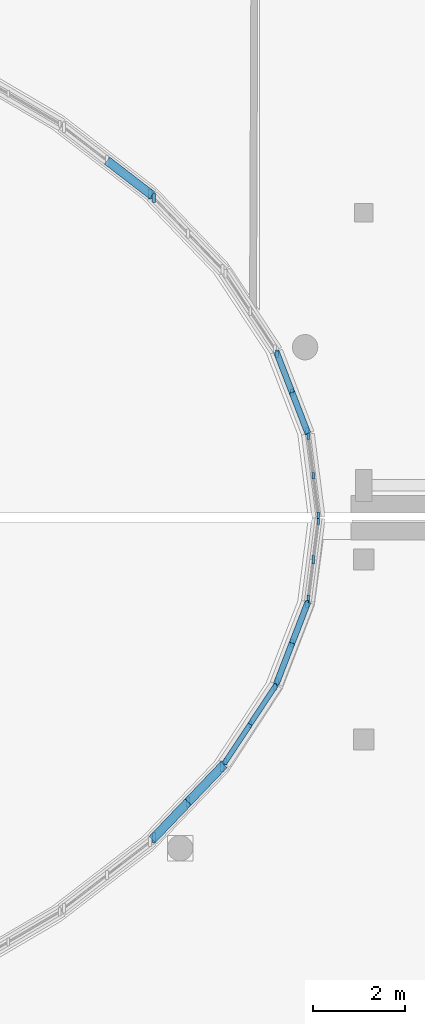
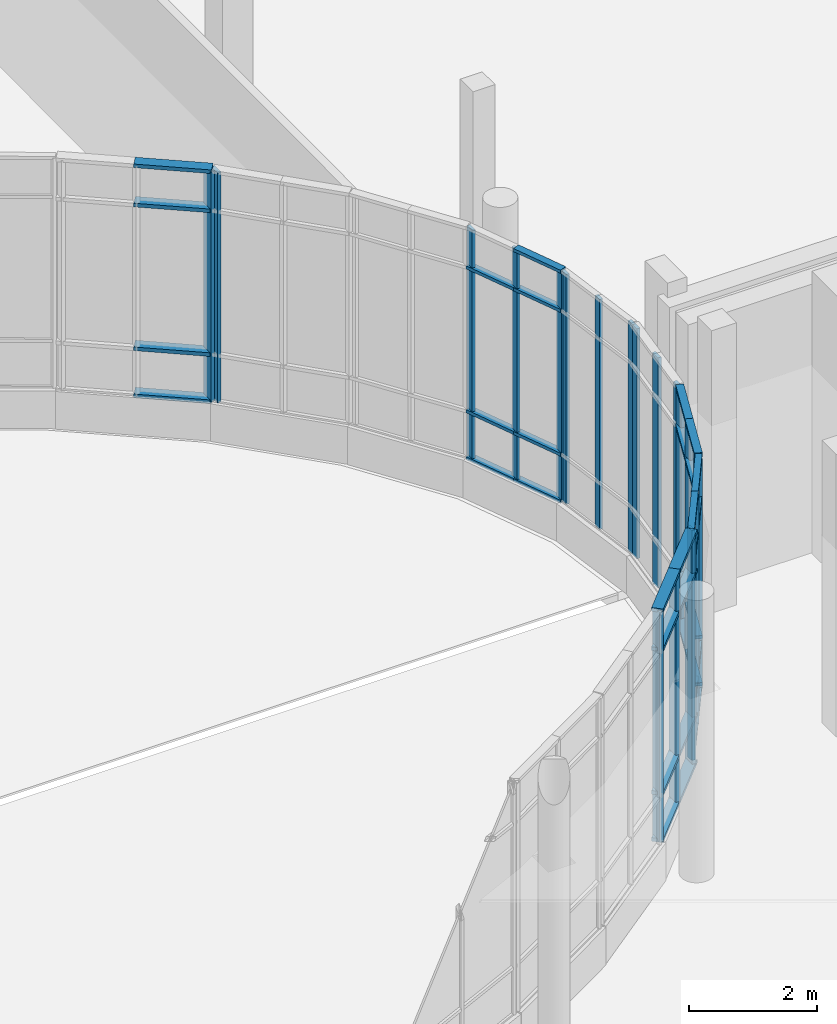
# One storey, part 24 of 84: 55 members, 8 elements without a shape of their own.
"""IFC4 building model written with IfcOpenShell, lengths in metres."""

from ifc_helpers import new_model, si_unit, direction, frame, origin, origin_2d, place, context, subcontext, project, spatial, rectangle, extrude, material, material_profile, profile_set, type_object, element, aggregate, save


model = new_model("IFC4")

# Units and contexts
model_context = context("Model", 3, precision=1e-05, world=origin(), true_north=direction((0.0, 1.0)))
body_context = subcontext(model_context, "Body", "Model", "MODEL_VIEW")
ifc_project = project(units=[si_unit("LENGTHUNIT", "METRE"), si_unit("AREAUNIT", "SQUARE_METRE"), si_unit("VOLUMEUNIT", "CUBIC_METRE"), si_unit("PLANEANGLEUNIT", "RADIAN"), si_unit("MASSUNIT", "GRAM", prefix="KILO")], contexts=[model_context])

# Site, building, storey
site_placement = place(None, origin())
site = spatial("IfcSite", under=ifc_project, at=site_placement, CompositionType="ELEMENT")
building_placement = place(site_placement, origin())
building = spatial("IfcBuilding", under=site, at=building_placement, Name="Mzevani Central Library", CompositionType="ELEMENT")
storey_placement = place(building_placement, origin())
storey = spatial("IfcBuildingStorey", under=building, at=storey_placement, Name="L00", CompositionType="ELEMENT", Elevation=0.0)

# Curtain wall, members
ifc_material_1 = material(Name="Thermally broken aluminium and Low-E triple glazing", Category="aluminium")
curtain_wall_type_1 = type_object("IfcCurtainWallType", Name="Reading Hall Northlight Curtain Wall", PredefinedType="NOTDEFINED", material=ifc_material_1)
curtain_wall_1_placement = place(storey_placement, origin())
curtain_wall_1 = element("IfcCurtainWall", 1, at=curtain_wall_1_placement, inside=storey, type_object=curtain_wall_type_1, Name="L00 Elliptical Court Curtain Wall 1", PredefinedType="NOTDEFINED")
ifc_material_2 = material(Name="Thermally broken aluminium AW-6060", Category="aluminium")
ifc_material_profile_1 = material_profile(ifc_material_2, rectangle(XDim=0.06005859375, YDim=0.139892578125, at=origin_2d()), Name="ALU M60x140")
ifc_profile_set_1 = profile_set([ifc_material_profile_1], Name="Thermally broken aluminium AW-6060")
member_type_1 = type_object("IfcMemberType", Name="CW Mullion 60x140", PredefinedType="MULLION", material=ifc_profile_set_1)
member_1_placement = place(storey_placement, frame((111.013671875, 76.056884765625, 0.719970703125), z_axis=(0.0, 0.0, 1.0), x_axis=(1.0, 0.0, 0.0)))
member_1 = element("IfcMember", 2, at=member_1_placement, type_object=member_type_1, Name="L00 Elliptical Court Curtain Wall 1 Mullion 1", PredefinedType="MULLION", context=body_context, shape_type="SweptSolid", body=[
    extrude(rectangle(XDim=0.06005859375, YDim=0.139892578125, at=origin_2d()), origin(), (0.0, 0.0, 1.0), 4.400146484375),
])
member_2_placement = place(storey_placement, frame((110.9052734375, 76.908935546875, 0.719970703125), z_axis=(0.0, 0.0, 1.0), x_axis=(1.0, 0.0, 0.0)))
member_2 = element("IfcMember", 3, at=member_2_placement, type_object=member_type_1, Name="L00 Elliptical Court Curtain Wall 1 Mullion 2", PredefinedType="MULLION", context=body_context, shape_type="SweptSolid", body=[
    extrude(rectangle(XDim=0.06005859375, YDim=0.139892578125, at=origin_2d()), origin(), (0.0, 0.0, 1.0), 4.400146484375),
])
member_3_placement = place(storey_placement, frame((110.796875, 77.7607421875, 0.719970703125), z_axis=(0.0, 0.0, 1.0), x_axis=(1.0, 0.0, 0.0)))
member_3 = element("IfcMember", 4, at=member_3_placement, type_object=member_type_1, Name="L00 Elliptical Court Curtain Wall 1 Mullion 3", PredefinedType="MULLION", context=body_context, shape_type="SweptSolid", body=[
    extrude(rectangle(XDim=0.06005859375, YDim=0.139892578125, at=origin_2d()), origin(), (0.0, 0.0, 1.0), 4.400146484375),
])
aggregate(curtain_wall_1, [member_1, member_2, member_3])

curtain_wall_2_placement = place(storey_placement, origin())
curtain_wall_2 = element("IfcCurtainWall", 5, at=curtain_wall_2_placement, inside=storey, type_object=curtain_wall_type_1, Name="L00 Elliptical Court Curtain Wall 46", PredefinedType="NOTDEFINED")
member_4_placement = place(storey_placement, frame((109.004150390625, 70.718017578125, 0.719970703125), z_axis=(0.0, 0.0, 1.0), x_axis=(1.0, 0.0, 0.0)))
member_4 = element("IfcMember", 6, at=member_4_placement, type_object=member_type_1, Name="L00 Elliptical Court Curtain Wall 46 Mullion 1", PredefinedType="MULLION", context=body_context, shape_type="SweptSolid", body=[
    extrude(rectangle(XDim=0.06005859375, YDim=0.139892578125, at=origin_2d()), origin(), (0.0, 0.0, 1.0), 4.400146484375),
])
member_5_placement = place(storey_placement, frame((109.5400390625, 71.53173828125, 0.719970703125), z_axis=(0.0, 0.0, 1.0), x_axis=(1.0, 0.0, 0.0)))
member_5 = element("IfcMember", 7, at=member_5_placement, type_object=member_type_1, Name="L00 Elliptical Court Curtain Wall 46 Mullion 2", PredefinedType="MULLION", context=body_context, shape_type="SweptSolid", body=[
    extrude(rectangle(XDim=0.06005859375, YDim=0.139892578125, at=origin_2d()), origin(), (0.0, 0.0, 1.0), 4.400146484375),
])
member_6_placement = place(storey_placement, frame((110.075927734375, 72.345458984375, 0.719970703125), z_axis=(0.0, 0.0, 1.0), x_axis=(1.0, 0.0, 0.0)))
member_6 = element("IfcMember", 8, at=member_6_placement, type_object=member_type_1, Name="L00 Elliptical Court Curtain Wall 46 Mullion 3", PredefinedType="MULLION", context=body_context, shape_type="SweptSolid", body=[
    extrude(rectangle(XDim=0.06005859375, YDim=0.139892578125, at=origin_2d()), origin(), (0.0, 0.0, 1.0), 4.400146484375),
])

curtain_wall_type_2 = type_object("IfcCurtainWallType", Name="Elliptical Court Unitised Curtain Wall", PredefinedType="NOTDEFINED", material=ifc_material_1)
curtain_wall_3_placement = place(storey_placement, origin())
curtain_wall_3 = element("IfcCurtainWall", 9, at=curtain_wall_3_placement, inside=storey, type_object=curtain_wall_type_2, Name="L00 Elliptical Court Curtain Wall 2", PredefinedType="NOTDEFINED")
ifc_material_profile_2 = material_profile(ifc_material_2, rectangle(XDim=0.06005859375, YDim=0.159912109375, at=origin_2d()), Name="ALU M60x160")
ifc_profile_set_2 = profile_set([ifc_material_profile_2], Name="Thermally broken aluminium AW-6060")
member_type_2 = type_object("IfcMemberType", Name="CW Mullion 60x160", PredefinedType="MULLION", material=ifc_profile_set_2)
member_7_placement = place(storey_placement, frame((110.771484375, 77.8720703125, 0.719970703125), z_axis=(0.0, 0.0, 1.0), x_axis=(1.0, 0.0, 0.0)))
member_7 = element("IfcMember", 10, at=member_7_placement, type_object=member_type_2, Name="L00 Elliptical Court Curtain Wall 2 Mullion 1", PredefinedType="MULLION", context=body_context, shape_type="SweptSolid", body=[
    extrude(rectangle(XDim=0.06005859375, YDim=0.159912109375, at=origin_2d()), origin(), (0.0, 0.0, 1.0), 4.400146484375),
])
member_8_placement = place(storey_placement, frame((110.44775390625, 78.711181640625, 0.719970703125), z_axis=(0.0, 0.0, 1.0), x_axis=(1.0, 0.0, 0.0)))
member_8 = element("IfcMember", 11, at=member_8_placement, type_object=member_type_2, Name="L00 Elliptical Court Curtain Wall 2 Mullion 2", PredefinedType="MULLION", context=body_context, shape_type="SweptSolid", body=[
    extrude(rectangle(XDim=0.06005859375, YDim=0.159912109375, at=origin_2d()), origin(), (0.0, 0.0, 1.0), 4.400146484375),
])
member_9_placement = place(storey_placement, frame((110.123779296875, 79.550537109375, 0.719970703125), z_axis=(0.0, 0.0, 1.0), x_axis=(1.0, 0.0, 0.0)))
member_9 = element("IfcMember", 12, at=member_9_placement, type_object=member_type_2, Name="L00 Elliptical Court Curtain Wall 2 Mullion 3", PredefinedType="MULLION", context=body_context, shape_type="SweptSolid", body=[
    extrude(rectangle(XDim=0.06005859375, YDim=0.159912109375, at=origin_2d()), origin(), (0.0, 0.0, 1.0), 4.400146484375),
])

curtain_wall_4_placement = place(storey_placement, origin())
curtain_wall_4 = element("IfcCurtainWall", 13, at=curtain_wall_4_placement, inside=storey, type_object=curtain_wall_type_2, Name="L00 Elliptical Court Curtain Wall 47", PredefinedType="NOTDEFINED")
member_10_placement = place(storey_placement, frame((110.123779296875, 72.449462890625, 0.719970703125), z_axis=(0.0, 0.0, 1.0), x_axis=(1.0, 0.0, 0.0)))
member_10 = element("IfcMember", 14, at=member_10_placement, type_object=member_type_2, Name="L00 Elliptical Court Curtain Wall 47 Mullion 1", PredefinedType="MULLION", context=body_context, shape_type="SweptSolid", body=[
    extrude(rectangle(XDim=0.06005859375, YDim=0.159912109375, at=origin_2d()), origin(), (0.0, 0.0, 1.0), 4.400146484375),
])
member_11_placement = place(storey_placement, frame((110.44775390625, 73.288818359375, 0.719970703125), z_axis=(0.0, 0.0, 1.0), x_axis=(1.0, 0.0, 0.0)))
member_11 = element("IfcMember", 15, at=member_11_placement, type_object=member_type_2, Name="L00 Elliptical Court Curtain Wall 47 Mullion 2", PredefinedType="MULLION", context=body_context, shape_type="SweptSolid", body=[
    extrude(rectangle(XDim=0.06005859375, YDim=0.159912109375, at=origin_2d()), origin(), (0.0, 0.0, 1.0), 4.400146484375),
])
member_12_placement = place(storey_placement, frame((110.771484375, 74.1279296875, 0.719970703125), z_axis=(0.0, 0.0, 1.0), x_axis=(1.0, 0.0, 0.0)))
member_12 = element("IfcMember", 16, at=member_12_placement, type_object=member_type_2, Name="L00 Elliptical Court Curtain Wall 47 Mullion 3", PredefinedType="MULLION", context=body_context, shape_type="SweptSolid", body=[
    extrude(rectangle(XDim=0.06005859375, YDim=0.159912109375, at=origin_2d()), origin(), (0.0, 0.0, 1.0), 4.400146484375),
])

curtain_wall_5_placement = place(storey_placement, origin())
curtain_wall_5 = element("IfcCurtainWall", 17, at=curtain_wall_5_placement, inside=storey, type_object=curtain_wall_type_2, Name="L00 Elliptical Court Curtain Wall 48", PredefinedType="NOTDEFINED")
ifc_material_profile_3 = material_profile(ifc_material_2, rectangle(XDim=0.06005859375, YDim=0.179931640625, at=origin_2d()), Name="ALU M60x180")
ifc_profile_set_3 = profile_set([ifc_material_profile_3], Name="Thermally broken aluminium AW-6060")
member_type_3 = type_object("IfcMemberType", Name="CW Mullion 60x180", PredefinedType="MULLION", material=ifc_profile_set_3)
member_13_placement = place(storey_placement, frame((110.796875, 74.2392578125, 0.719970703125), z_axis=(0.0, 0.0, 1.0), x_axis=(1.0, 0.0, 0.0)))
member_13 = element("IfcMember", 18, at=member_13_placement, type_object=member_type_3, Name="L00 Elliptical Court Curtain Wall 48 Mullion 1", PredefinedType="MULLION", context=body_context, shape_type="SweptSolid", body=[
    extrude(rectangle(XDim=0.06005859375, YDim=0.179931640625, at=origin_2d()), origin(), (0.0, 0.0, 1.0), 4.400146484375),
])
member_14_placement = place(storey_placement, frame((110.9052734375, 75.091064453125, 0.719970703125), z_axis=(0.0, 0.0, 1.0), x_axis=(1.0, 0.0, 0.0)))
member_14 = element("IfcMember", 19, at=member_14_placement, type_object=member_type_3, Name="L00 Elliptical Court Curtain Wall 48 Mullion 2", PredefinedType="MULLION", context=body_context, shape_type="SweptSolid", body=[
    extrude(rectangle(XDim=0.06005859375, YDim=0.179931640625, at=origin_2d()), origin(), (0.0, 0.0, 1.0), 4.400146484375),
])
member_15_placement = place(storey_placement, frame((111.013671875, 75.943115234375, 0.719970703125), z_axis=(0.0, 0.0, 1.0), x_axis=(1.0, 0.0, 0.0)))
member_15 = element("IfcMember", 20, at=member_15_placement, type_object=member_type_3, Name="L00 Elliptical Court Curtain Wall 48 Mullion 3", PredefinedType="MULLION", context=body_context, shape_type="SweptSolid", body=[
    extrude(rectangle(XDim=0.06005859375, YDim=0.179931640625, at=origin_2d()), origin(), (0.0, 0.0, 1.0), 4.400146484375),
])
aggregate(curtain_wall_5, [member_13, member_14, member_15])

# Curtain wall, member
curtain_wall_6_placement = place(storey_placement, origin())
curtain_wall_6 = element("IfcCurtainWall", 21, at=curtain_wall_6_placement, inside=storey, type_object=curtain_wall_type_1, Name="L00 Elliptical Court Curtain Wall 4", PredefinedType="NOTDEFINED")
ifc_material_profile_4 = material_profile(ifc_material_2, rectangle(XDim=0.06494140625, YDim=0.199951171875, at=origin_2d()), Name="ALU M65x200")
ifc_profile_set_4 = profile_set([ifc_material_profile_4], Name="Thermally broken aluminium AW-6060")
member_type_4 = type_object("IfcMemberType", Name="CW Mullion 65x200", PredefinedType="MULLION", material=ifc_profile_set_4)
member_16_placement = place(storey_placement, frame((107.457275390625, 82.924072265625, 0.719970703125), z_axis=(0.0, 0.0, 1.0), x_axis=(1.0, 0.0, 0.0)))
member_16 = element("IfcMember", 22, at=member_16_placement, type_object=member_type_4, Name="L00 Elliptical Court Curtain Wall 4 Mullion 3", PredefinedType="MULLION", context=body_context, shape_type="SweptSolid", body=[
    extrude(rectangle(XDim=0.06494140625, YDim=0.199951171875, at=origin_2d()), origin(), (0.0, 0.0, 1.0), 4.400146484375),
])
aggregate(curtain_wall_6, [member_16])

curtain_wall_7_placement = place(storey_placement, origin())
curtain_wall_7 = element("IfcCurtainWall", 23, at=curtain_wall_7_placement, inside=storey, type_object=curtain_wall_type_2, Name="L00 Elliptical Court Curtain Wall 5", PredefinedType="NOTDEFINED")
ifc_material_profile_5 = material_profile(ifc_material_2, rectangle(XDim=0.070068359375, YDim=0.219970703125, at=origin_2d()), Name="ALU M70x220")
ifc_profile_set_5 = profile_set([ifc_material_profile_5], Name="Thermally broken aluminium AW-6060")
member_type_5 = type_object("IfcMemberType", Name="CW Mullion 70x220", PredefinedType="MULLION", material=ifc_profile_set_5)
member_17_placement = place(storey_placement, frame((107.3779296875, 83.00830078125, 0.719970703125), z_axis=(0.0, 0.0, 1.0), x_axis=(1.0, 0.0, 0.0)))
member_17 = element("IfcMember", 24, at=member_17_placement, type_object=member_type_5, Name="L00 Elliptical Court Curtain Wall 5 Mullion 1", PredefinedType="MULLION", context=body_context, shape_type="SweptSolid", body=[
    extrude(rectangle(XDim=0.070068359375, YDim=0.219970703125, at=origin_2d()), origin(), (0.0, 0.0, 1.0), 4.400146484375),
])

# Curtain wall, members
curtain_wall_8_placement = place(storey_placement, origin())
curtain_wall_8 = element("IfcCurtainWall", 25, at=curtain_wall_8_placement, inside=storey, type_object=curtain_wall_type_2, Name="L00 Elliptical Court Curtain Wall 45", PredefinedType="NOTDEFINED")
member_18_placement = place(storey_placement, frame((107.457275390625, 69.075927734375, 0.719970703125), z_axis=(0.0, 0.0, 1.0), x_axis=(1.0, 0.0, 0.0)))
member_18 = element("IfcMember", 26, at=member_18_placement, type_object=member_type_5, Name="L00 Elliptical Court Curtain Wall 45 Mullion 1", PredefinedType="MULLION", context=body_context, shape_type="SweptSolid", body=[
    extrude(rectangle(XDim=0.070068359375, YDim=0.219970703125, at=origin_2d()), origin(), (0.0, 0.0, 1.0), 4.400146484375),
])
member_19_placement = place(storey_placement, frame((108.197998046875, 69.849853515625, 0.719970703125), z_axis=(0.0, 0.0, 1.0), x_axis=(1.0, 0.0, 0.0)))
member_19 = element("IfcMember", 27, at=member_19_placement, type_object=member_type_5, Name="L00 Elliptical Court Curtain Wall 45 Mullion 2", PredefinedType="MULLION", context=body_context, shape_type="SweptSolid", body=[
    extrude(rectangle(XDim=0.070068359375, YDim=0.219970703125, at=origin_2d()), origin(), (0.0, 0.0, 1.0), 4.400146484375),
])
member_20_placement = place(storey_placement, frame((108.938720703125, 70.6240234375, 0.719970703125), z_axis=(0.0, 0.0, 1.0), x_axis=(1.0, 0.0, 0.0)))
member_20 = element("IfcMember", 28, at=member_20_placement, type_object=member_type_5, Name="L00 Elliptical Court Curtain Wall 45 Mullion 3", PredefinedType="MULLION", context=body_context, shape_type="SweptSolid", body=[
    extrude(rectangle(XDim=0.070068359375, YDim=0.219970703125, at=origin_2d()), origin(), (0.0, 0.0, 1.0), 4.400146484375),
])

# Member
ifc_material_profile_6 = material_profile(ifc_material_2, rectangle(XDim=0.110107421875, YDim=0.06005859375, at=origin_2d()), Name="ALU T60x110")
ifc_profile_set_6 = profile_set([ifc_material_profile_6], Name="Thermally broken aluminium AW-6060")
member_type_6 = type_object("IfcMemberType", Name="CW Transom 60x110", PredefinedType="USERDEFINED", material=ifc_profile_set_6)
member_21_placement = place(storey_placement, frame((108.976806640625, 70.67626953125, 0.719970703125), z_axis=(0.54990540845, 0.835226940273, 0.0), x_axis=(-0.835226940273, 0.54990540845, 0.0)))
member_21 = element("IfcMember", 29, at=member_21_placement, type_object=member_type_6, Name="L00 Elliptical Court Curtain Wall 46 Transom 1", ObjectType="TRANSOM", PredefinedType="USERDEFINED", context=body_context, shape_type="SweptSolid", body=[
    extrude(rectangle(XDim=0.110107421875, YDim=0.06005859375, at=origin_2d()), origin(), (0.0, 0.0, 1.0), 1.024169921875),
])

member_22_placement = place(storey_placement, frame((108.976806640625, 70.67626953125, 1.6201171875), z_axis=(0.54990540845, 0.835226940273, 0.0), x_axis=(-0.835226940273, 0.54990540845, 0.0)))
member_22 = element("IfcMember", 30, at=member_22_placement, type_object=member_type_6, Name="L00 Elliptical Court Curtain Wall 46 Transom 2", ObjectType="TRANSOM", PredefinedType="USERDEFINED", context=body_context, shape_type="SweptSolid", body=[
    extrude(rectangle(XDim=0.110107421875, YDim=0.06005859375, at=origin_2d()), origin(), (0.0, 0.0, 1.0), 1.024169921875),
])

member_23_placement = place(storey_placement, frame((108.976806640625, 70.67626953125, 4.3701171875), z_axis=(0.54990540845, 0.835226940273, 0.0), x_axis=(-0.835226940273, 0.54990540845, 0.0)))
member_23 = element("IfcMember", 31, at=member_23_placement, type_object=member_type_6, Name="L00 Elliptical Court Curtain Wall 46 Transom 3", ObjectType="TRANSOM", PredefinedType="USERDEFINED", context=body_context, shape_type="SweptSolid", body=[
    extrude(rectangle(XDim=0.110107421875, YDim=0.06005859375, at=origin_2d()), origin(), (0.0, 0.0, 1.0), 1.024169921875),
])

member_24_placement = place(storey_placement, frame((108.976806640625, 70.67626953125, 5.1201171875), z_axis=(0.54990540845, 0.835226940273, 0.0), x_axis=(-0.835226940273, 0.54990540845, 0.0)))
member_24 = element("IfcMember", 32, at=member_24_placement, type_object=member_type_6, Name="L00 Elliptical Court Curtain Wall 46 Transom 4", ObjectType="TRANSOM", PredefinedType="USERDEFINED", context=body_context, shape_type="SweptSolid", body=[
    extrude(rectangle(XDim=0.110107421875, YDim=0.06005859375, at=origin_2d()), origin(), (0.0, 0.0, 1.0), 1.024169921875),
])

member_25_placement = place(storey_placement, frame((109.5400390625, 71.53173828125, 0.719970703125), z_axis=(0.550071659346, 0.835117458556, 0.0), x_axis=(-0.835117458556, 0.550071659346, 0.0)))
member_25 = element("IfcMember", 33, at=member_25_placement, type_object=member_type_6, Name="L00 Elliptical Court Curtain Wall 46 Transom 5", ObjectType="TRANSOM", PredefinedType="USERDEFINED", context=body_context, shape_type="SweptSolid", body=[
    extrude(rectangle(XDim=0.110107421875, YDim=0.06005859375, at=origin_2d()), origin(), (0.0, 0.0, 1.0), 1.0244140625),
])

member_26_placement = place(storey_placement, frame((109.5400390625, 71.53173828125, 1.6201171875), z_axis=(0.550071659346, 0.835117458556, 0.0), x_axis=(-0.835117458556, 0.550071659346, 0.0)))
member_26 = element("IfcMember", 34, at=member_26_placement, type_object=member_type_6, Name="L00 Elliptical Court Curtain Wall 46 Transom 6", ObjectType="TRANSOM", PredefinedType="USERDEFINED", context=body_context, shape_type="SweptSolid", body=[
    extrude(rectangle(XDim=0.110107421875, YDim=0.06005859375, at=origin_2d()), origin(), (0.0, 0.0, 1.0), 1.0244140625),
])

member_27_placement = place(storey_placement, frame((109.5400390625, 71.53173828125, 4.3701171875), z_axis=(0.550071659346, 0.835117458556, 0.0), x_axis=(-0.835117458556, 0.550071659346, 0.0)))
member_27 = element("IfcMember", 35, at=member_27_placement, type_object=member_type_6, Name="L00 Elliptical Court Curtain Wall 46 Transom 7", ObjectType="TRANSOM", PredefinedType="USERDEFINED", context=body_context, shape_type="SweptSolid", body=[
    extrude(rectangle(XDim=0.110107421875, YDim=0.06005859375, at=origin_2d()), origin(), (0.0, 0.0, 1.0), 1.0244140625),
])

member_28_placement = place(storey_placement, frame((109.5400390625, 71.53173828125, 5.1201171875), z_axis=(0.550071659346, 0.835117458556, 0.0), x_axis=(-0.835117458556, 0.550071659346, 0.0)))
member_28 = element("IfcMember", 36, at=member_28_placement, type_object=member_type_6, Name="L00 Elliptical Court Curtain Wall 46 Transom 8", ObjectType="TRANSOM", PredefinedType="USERDEFINED", context=body_context, shape_type="SweptSolid", body=[
    extrude(rectangle(XDim=0.110107421875, YDim=0.06005859375, at=origin_2d()), origin(), (0.0, 0.0, 1.0), 1.0244140625),
])

aggregate(curtain_wall_2, [member_4, member_5, member_6, member_21, member_22, member_23, member_24, member_25, member_26, member_27, member_28])

ifc_material_profile_7 = material_profile(ifc_material_2, rectangle(XDim=0.1298828125, YDim=0.06005859375, at=origin_2d()), Name="ALU T60x130")
ifc_profile_set_7 = profile_set([ifc_material_profile_7], Name="Thermally broken aluminium AW-6060")
member_type_7 = type_object("IfcMemberType", Name="CW Transom 60x130", PredefinedType="USERDEFINED", material=ifc_profile_set_7)
member_29_placement = place(storey_placement, frame((110.78955078125, 77.8251953125, 0.719970703125), z_axis=(-0.359926417848, 0.93298069312, 0.0), x_axis=(-0.93298069312, -0.359926417848, 0.0)))
member_29 = element("IfcMember", 37, at=member_29_placement, type_object=member_type_7, Name="L00 Elliptical Court Curtain Wall 2 Transom 1", ObjectType="TRANSOM", PredefinedType="USERDEFINED", context=body_context, shape_type="SweptSolid", body=[
    extrude(rectangle(XDim=0.1298828125, YDim=0.06005859375, at=origin_2d()), origin(), (0.0, 0.0, 1.0), 0.94970703125),
])

member_30_placement = place(storey_placement, frame((110.78955078125, 77.8251953125, 1.6201171875), z_axis=(-0.359926417848, 0.93298069312, 0.0), x_axis=(-0.93298069312, -0.359926417848, 0.0)))
member_30 = element("IfcMember", 38, at=member_30_placement, type_object=member_type_7, Name="L00 Elliptical Court Curtain Wall 2 Transom 2", ObjectType="TRANSOM", PredefinedType="USERDEFINED", context=body_context, shape_type="SweptSolid", body=[
    extrude(rectangle(XDim=0.1298828125, YDim=0.06005859375, at=origin_2d()), origin(), (0.0, 0.0, 1.0), 0.94970703125),
])

member_31_placement = place(storey_placement, frame((110.78955078125, 77.8251953125, 4.3701171875), z_axis=(-0.359926417848, 0.93298069312, 0.0), x_axis=(-0.93298069312, -0.359926417848, 0.0)))
member_31 = element("IfcMember", 39, at=member_31_placement, type_object=member_type_7, Name="L00 Elliptical Court Curtain Wall 2 Transom 3", ObjectType="TRANSOM", PredefinedType="USERDEFINED", context=body_context, shape_type="SweptSolid", body=[
    extrude(rectangle(XDim=0.1298828125, YDim=0.06005859375, at=origin_2d()), origin(), (0.0, 0.0, 1.0), 0.94970703125),
])

member_32_placement = place(storey_placement, frame((110.78955078125, 77.8251953125, 5.1201171875), z_axis=(-0.359926417848, 0.93298069312, 0.0), x_axis=(-0.93298069312, -0.359926417848, 0.0)))
member_32 = element("IfcMember", 40, at=member_32_placement, type_object=member_type_7, Name="L00 Elliptical Court Curtain Wall 2 Transom 4", ObjectType="TRANSOM", PredefinedType="USERDEFINED", context=body_context, shape_type="SweptSolid", body=[
    extrude(rectangle(XDim=0.1298828125, YDim=0.06005859375, at=origin_2d()), origin(), (0.0, 0.0, 1.0), 0.94970703125),
])

member_33_placement = place(storey_placement, frame((110.44775390625, 78.711181640625, 0.719970703125), z_axis=(-0.360063821231, 0.932927673853, 0.0), x_axis=(-0.932927673853, -0.360063821231, 0.0)))
member_33 = element("IfcMember", 41, at=member_33_placement, type_object=member_type_7, Name="L00 Elliptical Court Curtain Wall 2 Transom 5", ObjectType="TRANSOM", PredefinedType="USERDEFINED", context=body_context, shape_type="SweptSolid", body=[
    extrude(rectangle(XDim=0.1298828125, YDim=0.06005859375, at=origin_2d()), origin(), (0.0, 0.0, 1.0), 0.949951171875),
])

member_34_placement = place(storey_placement, frame((110.44775390625, 78.711181640625, 1.6201171875), z_axis=(-0.360063821231, 0.932927673853, 0.0), x_axis=(-0.932927673853, -0.360063821231, 0.0)))
member_34 = element("IfcMember", 42, at=member_34_placement, type_object=member_type_7, Name="L00 Elliptical Court Curtain Wall 2 Transom 6", ObjectType="TRANSOM", PredefinedType="USERDEFINED", context=body_context, shape_type="SweptSolid", body=[
    extrude(rectangle(XDim=0.1298828125, YDim=0.06005859375, at=origin_2d()), origin(), (0.0, 0.0, 1.0), 0.949951171875),
])

member_35_placement = place(storey_placement, frame((110.44775390625, 78.711181640625, 4.3701171875), z_axis=(-0.360063821231, 0.932927673853, 0.0), x_axis=(-0.932927673853, -0.360063821231, 0.0)))
member_35 = element("IfcMember", 43, at=member_35_placement, type_object=member_type_7, Name="L00 Elliptical Court Curtain Wall 2 Transom 7", ObjectType="TRANSOM", PredefinedType="USERDEFINED", context=body_context, shape_type="SweptSolid", body=[
    extrude(rectangle(XDim=0.1298828125, YDim=0.06005859375, at=origin_2d()), origin(), (0.0, 0.0, 1.0), 0.949951171875),
])

aggregate(curtain_wall_3, [member_7, member_8, member_9, member_29, member_30, member_31, member_32, member_33, member_34, member_35])

member_36_placement = place(storey_placement, frame((110.105712890625, 72.402587890625, 0.719970703125), z_axis=(0.360063821231, 0.932927673853, 0.0), x_axis=(-0.932927673853, 0.360063821231, 0.0)))
member_36 = element("IfcMember", 44, at=member_36_placement, type_object=member_type_7, Name="L00 Elliptical Court Curtain Wall 47 Transom 1", ObjectType="TRANSOM", PredefinedType="USERDEFINED", context=body_context, shape_type="SweptSolid", body=[
    extrude(rectangle(XDim=0.1298828125, YDim=0.06005859375, at=origin_2d()), origin(), (0.0, 0.0, 1.0), 0.949951171875),
])

member_37_placement = place(storey_placement, frame((110.105712890625, 72.402587890625, 1.6201171875), z_axis=(0.360063821231, 0.932927673853, 0.0), x_axis=(-0.932927673853, 0.360063821231, 0.0)))
member_37 = element("IfcMember", 45, at=member_37_placement, type_object=member_type_7, Name="L00 Elliptical Court Curtain Wall 47 Transom 2", ObjectType="TRANSOM", PredefinedType="USERDEFINED", context=body_context, shape_type="SweptSolid", body=[
    extrude(rectangle(XDim=0.1298828125, YDim=0.06005859375, at=origin_2d()), origin(), (0.0, 0.0, 1.0), 0.949951171875),
])

member_38_placement = place(storey_placement, frame((110.105712890625, 72.402587890625, 4.3701171875), z_axis=(0.360063821231, 0.932927673853, 0.0), x_axis=(-0.932927673853, 0.360063821231, 0.0)))
member_38 = element("IfcMember", 46, at=member_38_placement, type_object=member_type_7, Name="L00 Elliptical Court Curtain Wall 47 Transom 3", ObjectType="TRANSOM", PredefinedType="USERDEFINED", context=body_context, shape_type="SweptSolid", body=[
    extrude(rectangle(XDim=0.1298828125, YDim=0.06005859375, at=origin_2d()), origin(), (0.0, 0.0, 1.0), 0.949951171875),
])

member_39_placement = place(storey_placement, frame((110.105712890625, 72.402587890625, 5.1201171875), z_axis=(0.360063821231, 0.932927673853, 0.0), x_axis=(-0.932927673853, 0.360063821231, 0.0)))
member_39 = element("IfcMember", 47, at=member_39_placement, type_object=member_type_7, Name="L00 Elliptical Court Curtain Wall 47 Transom 4", ObjectType="TRANSOM", PredefinedType="USERDEFINED", context=body_context, shape_type="SweptSolid", body=[
    extrude(rectangle(XDim=0.1298828125, YDim=0.06005859375, at=origin_2d()), origin(), (0.0, 0.0, 1.0), 0.949951171875),
])

member_40_placement = place(storey_placement, frame((110.44775390625, 73.288818359375, 0.719970703125), z_axis=(0.359926417848, 0.93298069312, 0.0), x_axis=(-0.93298069312, 0.359926417848, 0.0)))
member_40 = element("IfcMember", 48, at=member_40_placement, type_object=member_type_7, Name="L00 Elliptical Court Curtain Wall 47 Transom 5", ObjectType="TRANSOM", PredefinedType="USERDEFINED", context=body_context, shape_type="SweptSolid", body=[
    extrude(rectangle(XDim=0.1298828125, YDim=0.06005859375, at=origin_2d()), origin(), (0.0, 0.0, 1.0), 0.94970703125),
])

member_41_placement = place(storey_placement, frame((110.44775390625, 73.288818359375, 1.6201171875), z_axis=(0.359926417848, 0.93298069312, 0.0), x_axis=(-0.93298069312, 0.359926417848, 0.0)))
member_41 = element("IfcMember", 49, at=member_41_placement, type_object=member_type_7, Name="L00 Elliptical Court Curtain Wall 47 Transom 6", ObjectType="TRANSOM", PredefinedType="USERDEFINED", context=body_context, shape_type="SweptSolid", body=[
    extrude(rectangle(XDim=0.1298828125, YDim=0.06005859375, at=origin_2d()), origin(), (0.0, 0.0, 1.0), 0.94970703125),
])

member_42_placement = place(storey_placement, frame((110.44775390625, 73.288818359375, 4.3701171875), z_axis=(0.359926417848, 0.93298069312, 0.0), x_axis=(-0.93298069312, 0.359926417848, 0.0)))
member_42 = element("IfcMember", 50, at=member_42_placement, type_object=member_type_7, Name="L00 Elliptical Court Curtain Wall 47 Transom 7", ObjectType="TRANSOM", PredefinedType="USERDEFINED", context=body_context, shape_type="SweptSolid", body=[
    extrude(rectangle(XDim=0.1298828125, YDim=0.06005859375, at=origin_2d()), origin(), (0.0, 0.0, 1.0), 0.94970703125),
])

member_43_placement = place(storey_placement, frame((110.44775390625, 73.288818359375, 5.1201171875), z_axis=(0.359926417848, 0.93298069312, 0.0), x_axis=(-0.93298069312, 0.359926417848, 0.0)))
member_43 = element("IfcMember", 51, at=member_43_placement, type_object=member_type_7, Name="L00 Elliptical Court Curtain Wall 47 Transom 8", ObjectType="TRANSOM", PredefinedType="USERDEFINED", context=body_context, shape_type="SweptSolid", body=[
    extrude(rectangle(XDim=0.1298828125, YDim=0.06005859375, at=origin_2d()), origin(), (0.0, 0.0, 1.0), 0.94970703125),
])

aggregate(curtain_wall_4, [member_10, member_11, member_12, member_36, member_37, member_38, member_39, member_40, member_41, member_42, member_43])

ifc_material_profile_8 = material_profile(ifc_material_2, rectangle(XDim=0.18994140625, YDim=0.070068359375, at=origin_2d()), Name="ALU T70x190")
ifc_profile_set_8 = profile_set([ifc_material_profile_8], Name="Thermally broken aluminium AW-6060")
member_type_8 = type_object("IfcMemberType", Name="CW Transom 70x190", PredefinedType="USERDEFINED", material=ifc_profile_set_8)
member_44_placement = place(storey_placement, frame((107.41748046875, 82.977783203125, 0.719970703125), z_axis=(-0.791804197393, 0.610775010123, 0.0), x_axis=(-0.610775010123, -0.791804197393, 0.0)))
member_44 = element("IfcMember", 52, at=member_44_placement, type_object=member_type_8, Name="L00 Elliptical Court Curtain Wall 5 Transom 1", ObjectType="TRANSOM", PredefinedType="USERDEFINED", context=body_context, shape_type="SweptSolid", body=[
    extrude(rectangle(XDim=0.18994140625, YDim=0.070068359375, at=origin_2d()), origin(), (0.0, 0.0, 1.0), 1.22998046875),
])

member_45_placement = place(storey_placement, frame((107.41748046875, 82.977783203125, 1.6201171875), z_axis=(-0.791804197393, 0.610775010123, 0.0), x_axis=(-0.610775010123, -0.791804197393, 0.0)))
member_45 = element("IfcMember", 53, at=member_45_placement, type_object=member_type_8, Name="L00 Elliptical Court Curtain Wall 5 Transom 2", ObjectType="TRANSOM", PredefinedType="USERDEFINED", context=body_context, shape_type="SweptSolid", body=[
    extrude(rectangle(XDim=0.18994140625, YDim=0.070068359375, at=origin_2d()), origin(), (0.0, 0.0, 1.0), 1.22998046875),
])

member_46_placement = place(storey_placement, frame((107.41748046875, 82.977783203125, 4.3701171875), z_axis=(-0.791804197393, 0.610775010123, 0.0), x_axis=(-0.610775010123, -0.791804197393, 0.0)))
member_46 = element("IfcMember", 54, at=member_46_placement, type_object=member_type_8, Name="L00 Elliptical Court Curtain Wall 5 Transom 3", ObjectType="TRANSOM", PredefinedType="USERDEFINED", context=body_context, shape_type="SweptSolid", body=[
    extrude(rectangle(XDim=0.18994140625, YDim=0.070068359375, at=origin_2d()), origin(), (0.0, 0.0, 1.0), 1.22998046875),
])

member_47_placement = place(storey_placement, frame((107.41748046875, 82.977783203125, 5.1201171875), z_axis=(-0.791804197393, 0.610775010123, 0.0), x_axis=(-0.610775010123, -0.791804197393, 0.0)))
member_47 = element("IfcMember", 55, at=member_47_placement, type_object=member_type_8, Name="L00 Elliptical Court Curtain Wall 5 Transom 4", ObjectType="TRANSOM", PredefinedType="USERDEFINED", context=body_context, shape_type="SweptSolid", body=[
    extrude(rectangle(XDim=0.18994140625, YDim=0.070068359375, at=origin_2d()), origin(), (0.0, 0.0, 1.0), 1.22998046875),
])

aggregate(curtain_wall_7, [member_17, member_44, member_45, member_46, member_47])

member_48_placement = place(storey_placement, frame((107.422607421875, 69.039794921875, 0.719970703125), z_axis=(0.691479654035, 0.722395935796, 0.0), x_axis=(-0.722395935796, 0.691479654035, 0.0)))
member_48 = element("IfcMember", 56, at=member_48_placement, type_object=member_type_8, Name="L00 Elliptical Court Curtain Wall 45 Transom 1", ObjectType="TRANSOM", PredefinedType="USERDEFINED", context=body_context, shape_type="SweptSolid", body=[
    extrude(rectangle(XDim=0.18994140625, YDim=0.070068359375, at=origin_2d()), origin(), (0.0, 0.0, 1.0), 1.121337890625),
])

member_49_placement = place(storey_placement, frame((107.422607421875, 69.039794921875, 1.6201171875), z_axis=(0.691479654035, 0.722395935796, 0.0), x_axis=(-0.722395935796, 0.691479654035, 0.0)))
member_49 = element("IfcMember", 57, at=member_49_placement, type_object=member_type_8, Name="L00 Elliptical Court Curtain Wall 45 Transom 2", ObjectType="TRANSOM", PredefinedType="USERDEFINED", context=body_context, shape_type="SweptSolid", body=[
    extrude(rectangle(XDim=0.18994140625, YDim=0.070068359375, at=origin_2d()), origin(), (0.0, 0.0, 1.0), 1.121337890625),
])

member_50_placement = place(storey_placement, frame((107.422607421875, 69.039794921875, 4.3701171875), z_axis=(0.691479654035, 0.722395935796, 0.0), x_axis=(-0.722395935796, 0.691479654035, 0.0)))
member_50 = element("IfcMember", 58, at=member_50_placement, type_object=member_type_8, Name="L00 Elliptical Court Curtain Wall 45 Transom 3", ObjectType="TRANSOM", PredefinedType="USERDEFINED", context=body_context, shape_type="SweptSolid", body=[
    extrude(rectangle(XDim=0.18994140625, YDim=0.070068359375, at=origin_2d()), origin(), (0.0, 0.0, 1.0), 1.121337890625),
])

member_51_placement = place(storey_placement, frame((107.422607421875, 69.039794921875, 5.1201171875), z_axis=(0.691479654035, 0.722395935796, 0.0), x_axis=(-0.722395935796, 0.691479654035, 0.0)))
member_51 = element("IfcMember", 59, at=member_51_placement, type_object=member_type_8, Name="L00 Elliptical Court Curtain Wall 45 Transom 4", ObjectType="TRANSOM", PredefinedType="USERDEFINED", context=body_context, shape_type="SweptSolid", body=[
    extrude(rectangle(XDim=0.18994140625, YDim=0.070068359375, at=origin_2d()), origin(), (0.0, 0.0, 1.0), 1.121337890625),
])

member_52_placement = place(storey_placement, frame((108.197998046875, 69.849853515625, 0.719970703125), z_axis=(0.691257248067, 0.722608757901, 0.0), x_axis=(-0.722608757901, 0.691257248067, 0.0)))
member_52 = element("IfcMember", 60, at=member_52_placement, type_object=member_type_8, Name="L00 Elliptical Court Curtain Wall 45 Transom 5", ObjectType="TRANSOM", PredefinedType="USERDEFINED", context=body_context, shape_type="SweptSolid", body=[
    extrude(rectangle(XDim=0.18994140625, YDim=0.070068359375, at=origin_2d()), origin(), (0.0, 0.0, 1.0), 1.121337890625),
])

member_53_placement = place(storey_placement, frame((108.197998046875, 69.849853515625, 1.6201171875), z_axis=(0.691257248067, 0.722608757901, 0.0), x_axis=(-0.722608757901, 0.691257248067, 0.0)))
member_53 = element("IfcMember", 61, at=member_53_placement, type_object=member_type_8, Name="L00 Elliptical Court Curtain Wall 45 Transom 6", ObjectType="TRANSOM", PredefinedType="USERDEFINED", context=body_context, shape_type="SweptSolid", body=[
    extrude(rectangle(XDim=0.18994140625, YDim=0.070068359375, at=origin_2d()), origin(), (0.0, 0.0, 1.0), 1.121337890625),
])

member_54_placement = place(storey_placement, frame((108.197998046875, 69.849853515625, 4.3701171875), z_axis=(0.691257248067, 0.722608757901, 0.0), x_axis=(-0.722608757901, 0.691257248067, 0.0)))
member_54 = element("IfcMember", 62, at=member_54_placement, type_object=member_type_8, Name="L00 Elliptical Court Curtain Wall 45 Transom 7", ObjectType="TRANSOM", PredefinedType="USERDEFINED", context=body_context, shape_type="SweptSolid", body=[
    extrude(rectangle(XDim=0.18994140625, YDim=0.070068359375, at=origin_2d()), origin(), (0.0, 0.0, 1.0), 1.121337890625),
])

member_55_placement = place(storey_placement, frame((108.197998046875, 69.849853515625, 5.1201171875), z_axis=(0.691257248067, 0.722608757901, 0.0), x_axis=(-0.722608757901, 0.691257248067, 0.0)))
member_55 = element("IfcMember", 63, at=member_55_placement, type_object=member_type_8, Name="L00 Elliptical Court Curtain Wall 45 Transom 8", ObjectType="TRANSOM", PredefinedType="USERDEFINED", context=body_context, shape_type="SweptSolid", body=[
    extrude(rectangle(XDim=0.18994140625, YDim=0.070068359375, at=origin_2d()), origin(), (0.0, 0.0, 1.0), 1.121337890625),
])

aggregate(curtain_wall_8, [member_18, member_19, member_20, member_48, member_49, member_50, member_51, member_52, member_53, member_54, member_55])

save(model, "model.ifc")
